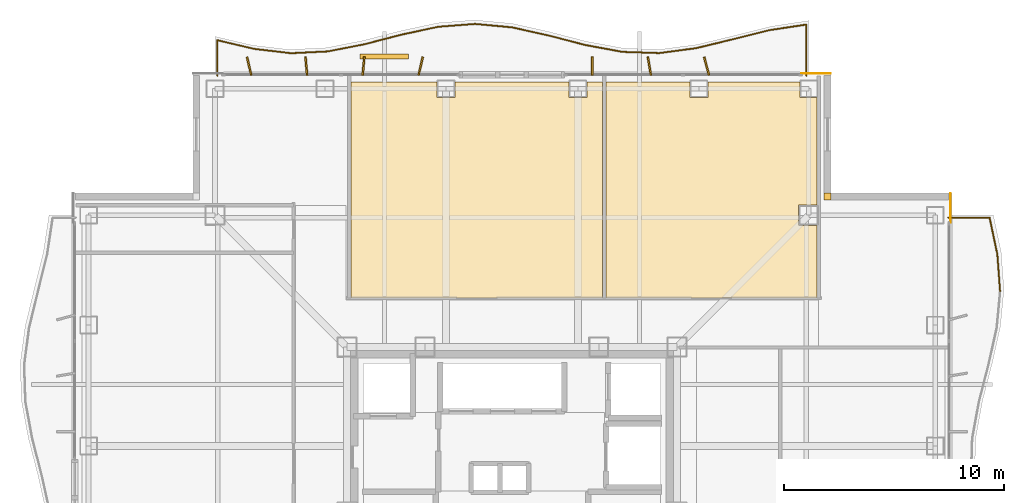
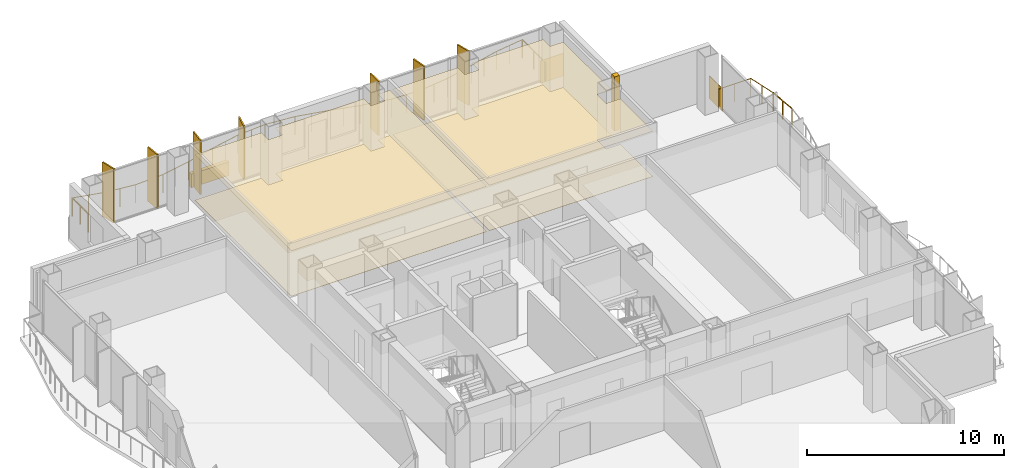
# One storey, part 16 of 16: 21 railings, 8 shading devices, 7 coverings.
"""IFC4 building model written with IfcOpenShell, lengths in metres."""

from ifc_helpers import new_model, si_unit, direction, frame, frame_2d, origin, origin_2d, place, context, subcontext, project, spatial, polyline, rectangle, circle, outline, extrude, material, layer, layer_set, type_object, element, save


model = new_model("IFC4")

# Units and contexts
model_context = context("Model", 3, precision=1e-05, world=origin(), true_north=direction((0.0, 1.0)))
body_context = subcontext(model_context, "Body", "Model", "MODEL_VIEW")
ifc_project = project(units=[si_unit("LENGTHUNIT", "METRE"), si_unit("AREAUNIT", "SQUARE_METRE"), si_unit("VOLUMEUNIT", "CUBIC_METRE"), si_unit("PLANEANGLEUNIT", "RADIAN"), si_unit("MASSUNIT", "GRAM", prefix="KILO")], contexts=[model_context])

# Site, building, storey
site_placement = place(None, origin())
site = spatial("IfcSite", under=ifc_project, at=site_placement, CompositionType="ELEMENT")
building_placement = place(site_placement, origin())
building = spatial("IfcBuilding", under=site, at=building_placement, Name="Trevonay Congress Spire", CompositionType="ELEMENT")
storey_placement = place(building_placement, frame((0.0, 0.0, 195.0)))
storey = spatial("IfcBuildingStorey", under=building, at=storey_placement, Name="L50", CompositionType="ELEMENT", Elevation=195.0)

# Coverings
ifc_material_1 = material(Name="Acoustic Mineral Fibre Board", Category="gypsum")
ifc_layer_1 = layer(ifc_material_1, 0.02490234375, Name="Acoustic Mineral Fibre Board")
ifc_layer_set_1 = layer_set([ifc_layer_1], Name="Acoustic Mineral Fibre Board")
covering_type_1 = type_object("IfcCoveringType", Name="COV-CEIL-ACOUSTIC", PredefinedType="CEILING", material=ifc_layer_set_1)
covering_1_placement = place(storey_placement, frame((0.0, 0.0, 2.81005859375)))
element("IfcCovering", 1, at=covering_1_placement, inside=storey, type_object=covering_type_1, Name="L50 Champagne Aperitif Bar acoustic suspended ceiling", PredefinedType="CEILING", context=body_context, shape_type="SweptSolid", body=[
    extrude(outline(polyline([(4.1201171875, 19.550048828125), (4.1201171875, 9.72998046875), (-7.320068359375, 9.72998046875), (-7.320068359375, 19.550048828125), (-3.409912109375, 19.550048828125), (-3.409912109375, 18.840087890625), (-2.590087890625, 18.840087890625), (-2.590087890625, 19.550048828125), (2.590087890625, 19.550048828125), (2.590087890625, 18.840087890625), (3.409912109375, 18.840087890625), (3.409912109375, 19.550048828125), (4.1201171875, 19.550048828125)])), origin(), (0.0, 0.0, 1.0), 0.02490234375),
])
covering_2_placement = place(storey_placement, frame((0.0, 0.0, 2.81005859375)))
element("IfcCovering", 2, at=covering_2_placement, inside=storey, type_object=covering_type_1, Name="L50 Private Chef Table Dining acoustic suspended ceiling", PredefinedType="CEILING", context=body_context, shape_type="SweptSolid", body=[
    extrude(outline(polyline([(13.8701171875, 9.72998046875), (4.280029296875, 9.72998046875), (4.280029296875, 19.550048828125), (8.090087890625, 19.550048828125), (8.090087890625, 18.840087890625), (8.909912109375, 18.840087890625), (8.909912109375, 19.550048828125), (13.090087890625, 19.550048828125), (13.090087890625, 18.840087890625), (13.8701171875, 18.840087890625), (13.8701171875, 13.9599609375), (13.0400390625, 13.9599609375), (13.0400390625, 13.0400390625), (13.8701171875, 13.0400390625), (13.8701171875, 9.72998046875)])), origin(), (0.0, 0.0, 1.0), 0.02490234375),
])
ifc_material_2 = material(Name="Polished Granite Floor Tile", Category="masonry")
ifc_layer_2 = layer(ifc_material_2, 0.02001953125, Name="Polished Granite Floor Tile")
ifc_layer_set_2 = layer_set([ifc_layer_2], Name="Polished Granite Floor Tile")
covering_type_2 = type_object("IfcCoveringType", Name="COV-FLOOR-STONE", PredefinedType="FLOORING", material=ifc_layer_set_2)
covering_3_placement = place(storey_placement, origin())
element("IfcCovering", 3, at=covering_3_placement, inside=storey, type_object=covering_type_2, Name="L50 Champagne Aperitif Bar floor finish", PredefinedType="FLOORING", context=body_context, shape_type="SweptSolid", body=[
    extrude(outline(polyline([(4.1201171875, 19.550048828125), (4.1201171875, 9.72998046875), (-7.320068359375, 9.72998046875), (-7.320068359375, 19.550048828125), (-3.409912109375, 19.550048828125), (-3.409912109375, 18.840087890625), (-2.590087890625, 18.840087890625), (-2.590087890625, 19.550048828125), (2.590087890625, 19.550048828125), (2.590087890625, 18.840087890625), (3.409912109375, 18.840087890625), (3.409912109375, 19.550048828125), (4.1201171875, 19.550048828125)])), origin(), (0.0, 0.0, 1.0), 0.02001953125),
])
covering_4_placement = place(storey_placement, origin())
element("IfcCovering", 4, at=covering_4_placement, inside=storey, type_object=covering_type_2, Name="L50 Private Chef Table Dining floor finish", PredefinedType="FLOORING", context=body_context, shape_type="SweptSolid", body=[
    extrude(outline(polyline([(13.8701171875, 9.72998046875), (4.280029296875, 9.72998046875), (4.280029296875, 19.550048828125), (8.090087890625, 19.550048828125), (8.090087890625, 18.840087890625), (8.909912109375, 18.840087890625), (8.909912109375, 19.550048828125), (13.090087890625, 19.550048828125), (13.090087890625, 18.840087890625), (13.8701171875, 18.840087890625), (13.8701171875, 13.9599609375), (13.0400390625, 13.9599609375), (13.0400390625, 13.0400390625), (13.8701171875, 13.0400390625), (13.8701171875, 9.72998046875)])), origin(), (0.0, 0.0, 1.0), 0.02001953125),
])
ifc_material_3 = material(Name="Pale Anodised Aluminium EN AW-6063-T6", Category="aluminium")
ifc_layer_3 = layer(ifc_material_3, 0.0400390625, Name="Pale Anodised Aluminium EN AW-6063-T6")
ifc_layer_set_3 = layer_set([ifc_layer_3], Name="Pale Anodised Aluminium EN AW-6063-T6")
covering_type_3 = type_object("IfcCoveringType", Name="COV-SPANDREL-PALE-METAL", PredefinedType="CLADDING", material=ifc_layer_set_3)
covering_5_placement = place(storey_placement, origin())
element("IfcCovering", 5, at=covering_5_placement, inside=storey, type_object=covering_type_3, Name="L50 NE re-entrant notch corner closure trim", PredefinedType="CLADDING", context=body_context, shape_type="SweptSolid", body=[
    extrude(outline(polyline([(14.199951171875, 14.199951171875), (14.5, 14.199951171875), (14.5, 14.5), (14.199951171875, 14.5), (14.199951171875, 14.199951171875)])), origin(), (0.0, 0.0, 1.0), 3.360107421875),
])
for number, where, z_axis, x_axis, name in (
    (6, (19.93994140625, 13.14990234375, -0.14990234375), (0.0, 0.0, 1.0), (0.0, 1.0, 0.0), "L50 NE corner pier spandrel cladding 1"),
    (7, (13.14990234375, 19.93994140625, -0.14990234375), (0.0, 0.0, 1.0), (1.0, 0.0, 0.0), "L50 NE corner pier spandrel cladding 2"),
):
    element("IfcCovering", number, at=place(storey_placement, frame(where, z_axis=z_axis, x_axis=x_axis)), inside=storey, type_object=covering_type_3, Name=name, PredefinedType="CLADDING", context=body_context, shape_type="SweptSolid", body=[
        extrude(rectangle(XDim=1.35009765625, YDim=0.0400390625, at=frame_2d((0.675048828125, 0.0))), origin(), (0.0, 0.0, 1.0), 1.39990234375),
    ])

# Railings
railing_type = type_object("IfcRailingType", Name="RAL-EXT-GUARD-115", PredefinedType="GUARDRAIL", material=ifc_material_3)
railing_1_placement = place(storey_placement, frame((13.39208984375, 19.840087890625, 0.0)))
element("IfcRailing", 8, at=railing_1_placement, inside=storey, type_object=railing_type, Name="L50 perimeter safety guard GRD-L50-WAV-N-17", PredefinedType="GUARDRAIL", context=body_context, shape_type="SweptSolid", body=[
    extrude(circle(Radius=0.02392578125, at=origin_2d()), frame((0.0, 0.0, 1.1259765625), z_axis=(0.0, 1.0, 0.0), x_axis=(-1.0, 0.0, 0.0)), (0.0, 0.0, 1.0), 2.327880859375),
    extrude(circle(Radius=0.02099609375, at=origin_2d()), origin(), (0.0, 0.0, 1.0), 1.101806640625),
    extrude(circle(Radius=0.02099609375, at=origin_2d()), frame((0.0, 1.1640625, 0.0)), (0.0, 0.0, 1.0), 1.101806640625),
    extrude(circle(Radius=0.02099609375, at=origin_2d()), frame((0.0, 2.327880859375, 0.0)), (0.0, 0.0, 1.0), 1.101806640625),
])
railing_2_placement = place(storey_placement, frame((13.39208984375, 22.16796875, 0.0)))
element("IfcRailing", 9, at=railing_2_placement, inside=storey, type_object=railing_type, Name="L50 perimeter safety guard GRD-L50-WAV-N-18", PredefinedType="GUARDRAIL", context=body_context, shape_type="SweptSolid", body=[
    extrude(circle(Radius=0.02392578125, at=origin_2d()), frame((0.0, 0.0, 1.1259765625), z_axis=(-0.988778197398, -0.149391018303, 0.0), x_axis=(0.149391018303, -0.988778197398, 0.0)), (0.0, 0.0, 1.0), 1.693115234375),
    extrude(circle(Radius=0.02099609375, at=origin_2d()), origin(), (0.0, 0.0, 1.0), 1.101806640625),
    extrude(circle(Radius=0.02099609375, at=origin_2d()), frame((-0.8369140625, -0.12646484375, 0.0)), (0.0, 0.0, 1.0), 1.101806640625),
    extrude(circle(Radius=0.02099609375, at=origin_2d()), frame((-1.674072265625, -0.2529296875, 0.0)), (0.0, 0.0, 1.0), 1.101806640625),
])
railing_3_placement = place(storey_placement, frame((11.718017578125, 21.9150390625, 0.0)))
element("IfcRailing", 10, at=railing_3_placement, inside=storey, type_object=railing_type, Name="L50 perimeter safety guard GRD-L50-WAV-N-19", PredefinedType="GUARDRAIL", context=body_context, shape_type="SweptSolid", body=[
    extrude(circle(Radius=0.02392578125, at=origin_2d()), frame((0.0, 0.0, 1.1259765625), z_axis=(-0.970350249427, -0.24170311011, 0.0), x_axis=(0.24170311011, -0.970350249427, 0.0)), (0.0, 0.0, 1.0), 1.725341796875),
    extrude(circle(Radius=0.02099609375, at=origin_2d()), origin(), (0.0, 0.0, 1.0), 1.101806640625),
    extrude(circle(Radius=0.02099609375, at=origin_2d()), frame((-0.8369140625, -0.20849609375, 0.0)), (0.0, 0.0, 1.0), 1.101806640625),
    extrude(circle(Radius=0.02099609375, at=origin_2d()), frame((-1.674072265625, -0.4169921875, 0.0)), (0.0, 0.0, 1.0), 1.101806640625),
])
railing_4_placement = place(storey_placement, frame((10.0439453125, 21.498046875, 0.0)))
element("IfcRailing", 11, at=railing_4_placement, inside=storey, type_object=railing_type, Name="L50 perimeter safety guard GRD-L50-WAV-N-20", PredefinedType="GUARDRAIL", context=body_context, shape_type="SweptSolid", body=[
    extrude(circle(Radius=0.02392578125, at=origin_2d()), frame((0.0, 0.0, 1.1259765625), z_axis=(-0.971949366315, -0.235190198179, 0.0), x_axis=(0.235190198179, -0.971949366315, 0.0)), (0.0, 0.0, 1.0), 1.72216796875),
    extrude(circle(Radius=0.02099609375, at=origin_2d()), origin(), (0.0, 0.0, 1.0), 1.101806640625),
    extrude(circle(Radius=0.02099609375, at=origin_2d()), frame((-0.8369140625, -0.20263671875, 0.0)), (0.0, 0.0, 1.0), 1.101806640625),
    extrude(circle(Radius=0.02099609375, at=origin_2d()), frame((-1.673828125, -0.405029296875, 0.0)), (0.0, 0.0, 1.0), 1.101806640625),
])
railing_5_placement = place(storey_placement, frame((8.3701171875, 21.093017578125, 0.0)))
element("IfcRailing", 12, at=railing_5_placement, inside=storey, type_object=railing_type, Name="L50 perimeter safety guard GRD-L50-WAV-N-21", PredefinedType="GUARDRAIL", context=body_context, shape_type="SweptSolid", body=[
    extrude(circle(Radius=0.02392578125, at=origin_2d()), frame((0.0, 0.0, 1.1259765625), z_axis=(-0.991327366453, -0.13141557184, 0.0), x_axis=(0.13141557184, -0.991327366453, 0.0)), (0.0, 0.0, 1.0), 1.688720703125),
    extrude(circle(Radius=0.02099609375, at=origin_2d()), origin(), (0.0, 0.0, 1.0), 1.101806640625),
    extrude(circle(Radius=0.02099609375, at=origin_2d()), frame((-0.8369140625, -0.11083984375, 0.0)), (0.0, 0.0, 1.0), 1.101806640625),
    extrude(circle(Radius=0.02099609375, at=origin_2d()), frame((-1.674072265625, -0.221923828125, 0.0)), (0.0, 0.0, 1.0), 1.101806640625),
])
railing_6_placement = place(storey_placement, frame((6.696044921875, 20.87109375, 0.0)))
element("IfcRailing", 13, at=railing_6_placement, inside=storey, type_object=railing_type, Name="L50 perimeter safety guard GRD-L50-WAV-N-22", PredefinedType="GUARDRAIL", context=body_context, shape_type="SweptSolid", body=[
    extrude(circle(Radius=0.02392578125, at=origin_2d()), frame((0.0, 0.0, 1.1259765625), z_axis=(-0.999462081836, 0.032795532801, 0.0), x_axis=(-0.032795532801, -0.999462081836, 0.0)), (0.0, 0.0, 1.0), 1.675048828125),
    extrude(circle(Radius=0.02099609375, at=origin_2d()), origin(), (0.0, 0.0, 1.0), 1.101806640625),
    extrude(circle(Radius=0.02099609375, at=origin_2d()), frame((-0.8369140625, 0.02734375, 0.0)), (0.0, 0.0, 1.0), 1.101806640625),
    extrude(circle(Radius=0.02099609375, at=origin_2d()), frame((-1.674072265625, 0.054931640625, 0.0)), (0.0, 0.0, 1.0), 1.101806640625),
])
railing_7_placement = place(storey_placement, frame((5.02197265625, 20.926025390625, 0.0)))
element("IfcRailing", 14, at=railing_7_placement, inside=storey, type_object=railing_type, Name="L50 perimeter safety guard GRD-L50-WAV-N-23", PredefinedType="GUARDRAIL", context=body_context, shape_type="SweptSolid", body=[
    extrude(circle(Radius=0.02392578125, at=origin_2d()), frame((0.0, 0.0, 1.1259765625), z_axis=(-0.983277250087, 0.182114934754, 0.0), x_axis=(-0.182114934754, -0.983277250087, 0.0)), (0.0, 0.0, 1.0), 1.70263671875),
    extrude(circle(Radius=0.02099609375, at=origin_2d()), origin(), (0.0, 0.0, 1.0), 1.101806640625),
    extrude(circle(Radius=0.02099609375, at=origin_2d()), frame((-0.8369140625, 0.155029296875, 0.0)), (0.0, 0.0, 1.0), 1.101806640625),
    extrude(circle(Radius=0.02099609375, at=origin_2d()), frame((-1.674072265625, 0.31005859375, 0.0)), (0.0, 0.0, 1.0), 1.101806640625),
])
railing_8_placement = place(storey_placement, frame((3.347900390625, 21.236083984375, 0.0)))
element("IfcRailing", 15, at=railing_8_placement, inside=storey, type_object=railing_type, Name="L50 perimeter safety guard GRD-L50-WAV-N-24", PredefinedType="GUARDRAIL", context=body_context, shape_type="SweptSolid", body=[
    extrude(circle(Radius=0.02392578125, at=origin_2d()), frame((0.0, 0.0, 1.1259765625), z_axis=(-0.96828724364, 0.249839576137, 0.0), x_axis=(-0.249839576137, -0.96828724364, 0.0)), (0.0, 0.0, 1.0), 1.728759765625),
    extrude(circle(Radius=0.02099609375, at=origin_2d()), origin(), (0.0, 0.0, 1.0), 1.101806640625),
    extrude(circle(Radius=0.02099609375, at=origin_2d()), frame((-0.8369140625, 0.2158203125, 0.0)), (0.0, 0.0, 1.0), 1.101806640625),
    extrude(circle(Radius=0.02099609375, at=origin_2d()), frame((-1.673828125, 0.431884765625, 0.0)), (0.0, 0.0, 1.0), 1.101806640625),
])
railing_9_placement = place(storey_placement, frame((1.674072265625, 21.66796875, 0.0)))
element("IfcRailing", 16, at=railing_9_placement, inside=storey, type_object=railing_type, Name="L50 perimeter safety guard GRD-L50-WAV-N-25", PredefinedType="GUARDRAIL", context=body_context, shape_type="SweptSolid", body=[
    extrude(circle(Radius=0.02392578125, at=origin_2d()), frame((0.0, 0.0, 1.1259765625), z_axis=(-0.976059619003, 0.21750314975, 0.0), x_axis=(-0.21750314975, -0.976059619003, 0.0)), (0.0, 0.0, 1.0), 1.715087890625),
    extrude(circle(Radius=0.02099609375, at=origin_2d()), origin(), (0.0, 0.0, 1.0), 1.101806640625),
    extrude(circle(Radius=0.02099609375, at=origin_2d()), frame((-0.8369140625, 0.1865234375, 0.0)), (0.0, 0.0, 1.0), 1.101806640625),
    extrude(circle(Radius=0.02099609375, at=origin_2d()), frame((-1.674072265625, 0.373046875, 0.0)), (0.0, 0.0, 1.0), 1.101806640625),
])
railing_10_placement = place(storey_placement, frame((0.0, 22.041015625, 0.0)))
element("IfcRailing", 17, at=railing_10_placement, inside=storey, type_object=railing_type, Name="L50 perimeter safety guard GRD-L50-WAV-N-26", PredefinedType="GUARDRAIL", context=body_context, shape_type="SweptSolid", body=[
    extrude(circle(Radius=0.02392578125, at=origin_2d()), frame((0.0, 0.0, 1.1259765625), z_axis=(-0.995739439565, 0.092211542092, 0.0), x_axis=(-0.092211542092, -0.995739439565, 0.0)), (0.0, 0.0, 1.0), 1.68115234375),
    extrude(circle(Radius=0.02099609375, at=origin_2d()), origin(), (0.0, 0.0, 1.0), 1.101806640625),
    extrude(circle(Radius=0.02099609375, at=origin_2d()), frame((-0.8369140625, 0.07763671875, 0.0)), (0.0, 0.0, 1.0), 1.101806640625),
    extrude(circle(Radius=0.02099609375, at=origin_2d()), frame((-1.674072265625, 0.155029296875, 0.0)), (0.0, 0.0, 1.0), 1.101806640625),
])
railing_11_placement = place(storey_placement, frame((-1.674072265625, 22.196044921875, 0.0)))
element("IfcRailing", 18, at=railing_11_placement, inside=storey, type_object=railing_type, Name="L50 perimeter safety guard GRD-L50-WAV-N-27", PredefinedType="GUARDRAIL", context=body_context, shape_type="SweptSolid", body=[
    extrude(circle(Radius=0.02392578125, at=origin_2d()), frame((0.0, 0.0, 1.1259765625), z_axis=(-0.997036493838, -0.076930032853, 0.0), x_axis=(0.076930032853, -0.997036493838, 0.0)), (0.0, 0.0, 1.0), 1.6787109375),
    extrude(circle(Radius=0.02099609375, at=origin_2d()), origin(), (0.0, 0.0, 1.0), 1.101806640625),
    extrude(circle(Radius=0.02099609375, at=origin_2d()), frame((-0.8369140625, -0.064453125, 0.0)), (0.0, 0.0, 1.0), 1.101806640625),
    extrude(circle(Radius=0.02099609375, at=origin_2d()), frame((-1.673828125, -0.129150390625, 0.0)), (0.0, 0.0, 1.0), 1.101806640625),
])
railing_12_placement = place(storey_placement, frame((-3.347900390625, 22.06689453125, 0.0)))
element("IfcRailing", 19, at=railing_12_placement, inside=storey, type_object=railing_type, Name="L50 perimeter safety guard GRD-L50-WAV-N-28", PredefinedType="GUARDRAIL", context=body_context, shape_type="SweptSolid", body=[
    extrude(circle(Radius=0.02392578125, at=origin_2d()), frame((0.0, 0.0, 1.1259765625), z_axis=(-0.977900397153, -0.209071311394, 0.0), x_axis=(0.209071311394, -0.977900397153, 0.0)), (0.0, 0.0, 1.0), 1.7119140625),
    extrude(circle(Radius=0.02099609375, at=origin_2d()), origin(), (0.0, 0.0, 1.0), 1.101806640625),
    extrude(circle(Radius=0.02099609375, at=origin_2d()), frame((-0.8369140625, -0.178955078125, 0.0)), (0.0, 0.0, 1.0), 1.101806640625),
    extrude(circle(Radius=0.02099609375, at=origin_2d()), frame((-1.674072265625, -0.35791015625, 0.0)), (0.0, 0.0, 1.0), 1.101806640625),
])
railing_13_placement = place(storey_placement, frame((-5.02197265625, 21.708984375, 0.0)))
element("IfcRailing", 20, at=railing_13_placement, inside=storey, type_object=railing_type, Name="L50 perimeter safety guard GRD-L50-WAV-N-29", PredefinedType="GUARDRAIL", context=body_context, shape_type="SweptSolid", body=[
    extrude(circle(Radius=0.02392578125, at=origin_2d()), frame((0.0, 0.0, 1.1259765625), z_axis=(-0.967850687975, -0.251525437651, 0.0), x_axis=(0.251525437651, -0.967850687975, 0.0)), (0.0, 0.0, 1.0), 1.729736328125),
    extrude(circle(Radius=0.02099609375, at=origin_2d()), origin(), (0.0, 0.0, 1.0), 1.101806640625),
    extrude(circle(Radius=0.02099609375, at=origin_2d()), frame((-0.8369140625, -0.217529296875, 0.0)), (0.0, 0.0, 1.0), 1.101806640625),
    extrude(circle(Radius=0.02099609375, at=origin_2d()), frame((-1.674072265625, -0.43505859375, 0.0)), (0.0, 0.0, 1.0), 1.101806640625),
])
railing_14_placement = place(storey_placement, frame((-6.696044921875, 21.27392578125, 0.0)))
element("IfcRailing", 21, at=railing_14_placement, inside=storey, type_object=railing_type, Name="L50 perimeter safety guard GRD-L50-WAV-N-30", PredefinedType="GUARDRAIL", context=body_context, shape_type="SweptSolid", body=[
    extrude(circle(Radius=0.02392578125, at=origin_2d()), frame((0.0, 0.0, 1.1259765625), z_axis=(-0.981354527406, -0.192206377469, 0.0), x_axis=(0.192206377469, -0.981354527406, 0.0)), (0.0, 0.0, 1.0), 1.705810546875),
    extrude(circle(Radius=0.02099609375, at=origin_2d()), origin(), (0.0, 0.0, 1.0), 1.101806640625),
    extrude(circle(Radius=0.02099609375, at=origin_2d()), frame((-0.8369140625, -0.1640625, 0.0)), (0.0, 0.0, 1.0), 1.101806640625),
    extrude(circle(Radius=0.02099609375, at=origin_2d()), frame((-1.674072265625, -0.327880859375, 0.0)), (0.0, 0.0, 1.0), 1.101806640625),
])
railing_15_placement = place(storey_placement, frame((-8.3701171875, 20.946044921875, 0.0)))
element("IfcRailing", 22, at=railing_15_placement, inside=storey, type_object=railing_type, Name="L50 perimeter safety guard GRD-L50-WAV-N-31", PredefinedType="GUARDRAIL", context=body_context, shape_type="SweptSolid", body=[
    extrude(circle(Radius=0.02392578125, at=origin_2d()), frame((0.0, 0.0, 1.1259765625), z_axis=(-0.998801258655, -0.048949419911, 0.0), x_axis=(0.048949419911, -0.998801258655, 0.0)), (0.0, 0.0, 1.0), 1.67578125),
    extrude(circle(Radius=0.02099609375, at=origin_2d()), origin(), (0.0, 0.0, 1.0), 1.101806640625),
    extrude(circle(Radius=0.02099609375, at=origin_2d()), frame((-0.8369140625, -0.041015625, 0.0)), (0.0, 0.0, 1.0), 1.101806640625),
    extrude(circle(Radius=0.02099609375, at=origin_2d()), frame((-1.673828125, -0.08203125, 0.0)), (0.0, 0.0, 1.0), 1.101806640625),
])
railing_16_placement = place(storey_placement, frame((-10.0439453125, 20.864013671875, 0.0)))
element("IfcRailing", 23, at=railing_16_placement, inside=storey, type_object=railing_type, Name="L50 perimeter safety guard GRD-L50-WAV-N-32", PredefinedType="GUARDRAIL", context=body_context, shape_type="SweptSolid", body=[
    extrude(circle(Radius=0.02392578125, at=origin_2d()), frame((0.0, 0.0, 1.1259765625), z_axis=(-0.9931456602, 0.116883264953, 0.0), x_axis=(-0.116883264953, -0.9931456602, 0.0)), (0.0, 0.0, 1.0), 1.685546875),
    extrude(circle(Radius=0.02099609375, at=origin_2d()), origin(), (0.0, 0.0, 1.0), 1.101806640625),
    extrude(circle(Radius=0.02099609375, at=origin_2d()), frame((-0.8369140625, 0.0986328125, 0.0)), (0.0, 0.0, 1.0), 1.101806640625),
    extrude(circle(Radius=0.02099609375, at=origin_2d()), frame((-1.674072265625, 0.197021484375, 0.0)), (0.0, 0.0, 1.0), 1.101806640625),
])
railing_17_placement = place(storey_placement, frame((-11.718017578125, 21.06103515625, 0.0)))
element("IfcRailing", 24, at=railing_17_placement, inside=storey, type_object=railing_type, Name="L50 perimeter safety guard GRD-L50-WAV-N-33", PredefinedType="GUARDRAIL", context=body_context, shape_type="SweptSolid", body=[
    extrude(circle(Radius=0.02392578125, at=origin_2d()), frame((0.0, 0.0, 1.1259765625), z_axis=(-0.973271776711, 0.229656370821, 0.0), x_axis=(-0.229656370821, -0.973271776711, 0.0)), (0.0, 0.0, 1.0), 1.719970703125),
    extrude(circle(Radius=0.02099609375, at=origin_2d()), origin(), (0.0, 0.0, 1.0), 1.101806640625),
    extrude(circle(Radius=0.02099609375, at=origin_2d()), frame((-0.8369140625, 0.197509765625, 0.0)), (0.0, 0.0, 1.0), 1.101806640625),
    extrude(circle(Radius=0.02099609375, at=origin_2d()), frame((-1.674072265625, 0.39501953125, 0.0)), (0.0, 0.0, 1.0), 1.101806640625),
])
railing_18_placement = place(storey_placement, frame((-13.39208984375, 21.4560546875, 0.0)))
element("IfcRailing", 25, at=railing_18_placement, inside=storey, type_object=railing_type, Name="L50 perimeter safety guard GRD-L50-WAV-N-34", PredefinedType="GUARDRAIL", context=body_context, shape_type="SweptSolid", body=[
    extrude(circle(Radius=0.02392578125, at=origin_2d()), frame((0.0, 0.0, 1.1259765625), z_axis=(0.0, -1.0, 0.0), x_axis=(1.0, 0.0, 0.0)), (0.0, 0.0, 1.0), 1.615966796875),
    extrude(circle(Radius=0.02099609375, at=origin_2d()), origin(), (0.0, 0.0, 1.0), 1.101806640625),
    extrude(circle(Radius=0.02099609375, at=origin_2d()), frame((0.0, -0.80810546875, 0.0)), (0.0, 0.0, 1.0), 1.101806640625),
    extrude(circle(Radius=0.02099609375, at=origin_2d()), frame((0.0, -1.615966796875, 0.0)), (0.0, 0.0, 1.0), 1.101806640625),
])
railing_19_placement = place(storey_placement, frame((22.195068359375, 10.0439453125, 0.0)))
element("IfcRailing", 26, at=railing_19_placement, inside=storey, type_object=railing_type, Name="L50 perimeter safety guard GRD-L50-WAV-E-15", PredefinedType="GUARDRAIL", context=body_context, shape_type="SweptSolid", body=[
    extrude(circle(Radius=0.02392578125, at=origin_2d()), frame((0.0, 0.0, 1.1259765625), z_axis=(-0.073882399892, 0.997266960741, 0.0), x_axis=(-0.997266960741, -0.073882399892, 0.0)), (0.0, 0.0, 1.0), 1.6787109375),
    extrude(circle(Radius=0.02099609375, at=origin_2d()), origin(), (0.0, 0.0, 1.0), 1.101806640625),
    extrude(circle(Radius=0.02099609375, at=origin_2d()), frame((-0.06201171875, 0.8369140625, 0.0)), (0.0, 0.0, 1.0), 1.101806640625),
    extrude(circle(Radius=0.02099609375, at=origin_2d()), frame((-0.1240234375, 1.674072265625, 0.0)), (0.0, 0.0, 1.0), 1.101806640625),
])
railing_20_placement = place(storey_placement, frame((22.071044921875, 11.718017578125, 0.0)))
element("IfcRailing", 27, at=railing_20_placement, inside=storey, type_object=railing_type, Name="L50 perimeter safety guard GRD-L50-WAV-E-16", PredefinedType="GUARDRAIL", context=body_context, shape_type="SweptSolid", body=[
    extrude(circle(Radius=0.02392578125, at=origin_2d()), frame((0.0, 0.0, 1.1259765625), z_axis=(-0.206887679228, 0.978364701011, 0.0), x_axis=(-0.978364701011, -0.206887679228, 0.0)), (0.0, 0.0, 1.0), 1.711181640625),
    extrude(circle(Radius=0.02099609375, at=origin_2d()), origin(), (0.0, 0.0, 1.0), 1.101806640625),
    extrude(circle(Radius=0.02099609375, at=origin_2d()), frame((-0.177001953125, 0.8369140625, 0.0)), (0.0, 0.0, 1.0), 1.101806640625),
    extrude(circle(Radius=0.02099609375, at=origin_2d()), frame((-0.35400390625, 1.674072265625, 0.0)), (0.0, 0.0, 1.0), 1.101806640625),
])
railing_21_placement = place(storey_placement, frame((21.717041015625, 13.39208984375, 0.0)))
element("IfcRailing", 28, at=railing_21_placement, inside=storey, type_object=railing_type, Name="L50 perimeter safety guard GRD-L50-WAV-E-17", PredefinedType="GUARDRAIL", context=body_context, shape_type="SweptSolid", body=[
    extrude(circle(Radius=0.02392578125, at=origin_2d()), frame((0.0, 0.0, 1.1259765625), z_axis=(-1.0, 0.0, 0.0), x_axis=(0.0, -1.0, 0.0)), (0.0, 0.0, 1.0), 1.876953125),
    extrude(circle(Radius=0.02099609375, at=origin_2d()), origin(), (0.0, 0.0, 1.0), 1.101806640625),
    extrude(circle(Radius=0.02099609375, at=origin_2d()), frame((-0.9384765625, 0.0, 0.0)), (0.0, 0.0, 1.0), 1.101806640625),
    extrude(circle(Radius=0.02099609375, at=origin_2d()), frame((-1.876953125, 0.0, 0.0)), (0.0, 0.0, 1.0), 1.101806640625),
])

# Shading devices
shading_device_type_1 = type_object("IfcShadingDeviceType", Name="SHD-FIN-Z3-PALE-METAL", PredefinedType="USERDEFINED", material=ifc_material_3)
for number, where, z_axis, x_axis, name in (
    (29, (-11.949951171875, 20.280029296875, 0.0), (0.0, 0.0, 1.0), (0.97440931131, 0.224780991261, 0.0), "L50 N vertical pale-metal solar fin 1"),
    (30, (-9.35009765625, 20.280029296875, 0.0), (0.0, 0.0, 1.0), (0.995994383933, 0.089415810539, 0.0), "L50 N vertical pale-metal solar fin 2"),
    (31, (-6.75, 20.280029296875, 0.0), (0.0, 0.0, 1.0), (0.995994383933, -0.089415810539, 0.0), "L50 N vertical pale-metal solar fin 3"),
    (32, (-4.14990234375, 20.280029296875, 0.0), (0.0, 0.0, 1.0), (0.97440931131, -0.224780991261, 0.0), "L50 N vertical pale-metal solar fin 4"),
    (33, (3.64990234375, 20.280029296875, 0.0), (0.0, 0.0, 1.0), (1.0, 0.0, 0.0), "L50 N vertical pale-metal solar fin 7"),
    (34, (6.25, 20.280029296875, 0.0), (0.0, 0.0, 1.0), (0.98587937025, 0.16745706111, 0.0), "L50 N vertical pale-metal solar fin 8"),
    (35, (8.85009765625, 20.280029296875, 0.0), (0.0, 0.0, 1.0), (0.966957007154, 0.2549394954, 0.0), "L50 N vertical pale-metal solar fin 9"),
):
    element("IfcShadingDevice", number, at=place(storey_placement, frame(where, z_axis=z_axis, x_axis=x_axis)), inside=storey, type_object=shading_device_type_1, Name=name, ObjectType="SOLAR FIN", PredefinedType="USERDEFINED", context=body_context, shape_type="SweptSolid", body=[
        extrude(rectangle(XDim=0.080078125, YDim=0.85009765625, at=origin_2d()), origin(), (0.0, 0.0, 1.0), 3.360107421875),
    ])
shading_device_type_2 = type_object("IfcShadingDeviceType", Name="SHD-LOUVRE-WAVE-ALUM", PredefinedType="USERDEFINED", material=ifc_material_3)
shading_device_placement = place(storey_placement, frame((-5.800048828125, 20.719970703125, -0.01513671875), z_axis=(0.0, 0.0, 1.0), x_axis=(1.0, 0.0, 0.0)))
element("IfcShadingDevice", 36, at=shading_device_placement, inside=storey, type_object=shading_device_type_2, Name="L50 N sinusoidal balcony horizontal sunshade louvre", ObjectType="LOUVRE", PredefinedType="USERDEFINED", context=body_context, shape_type="SweptSolid", body=[
    extrude(rectangle(XDim=2.199951171875, YDim=0.219970703125, at=origin_2d()), origin(), (0.0, 0.0, 1.0), 0.85009765625),
])

save(model, "model.ifc")
